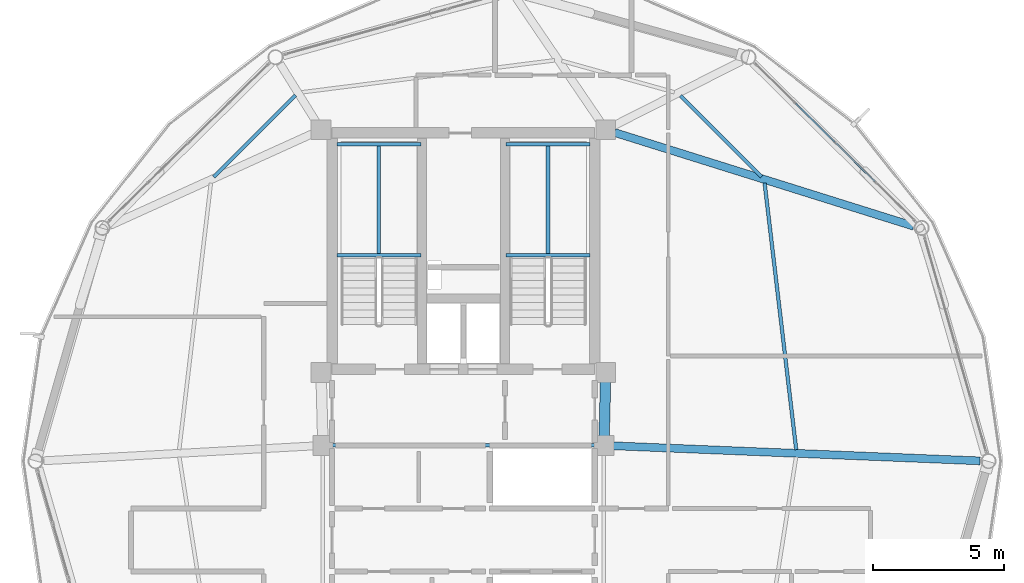
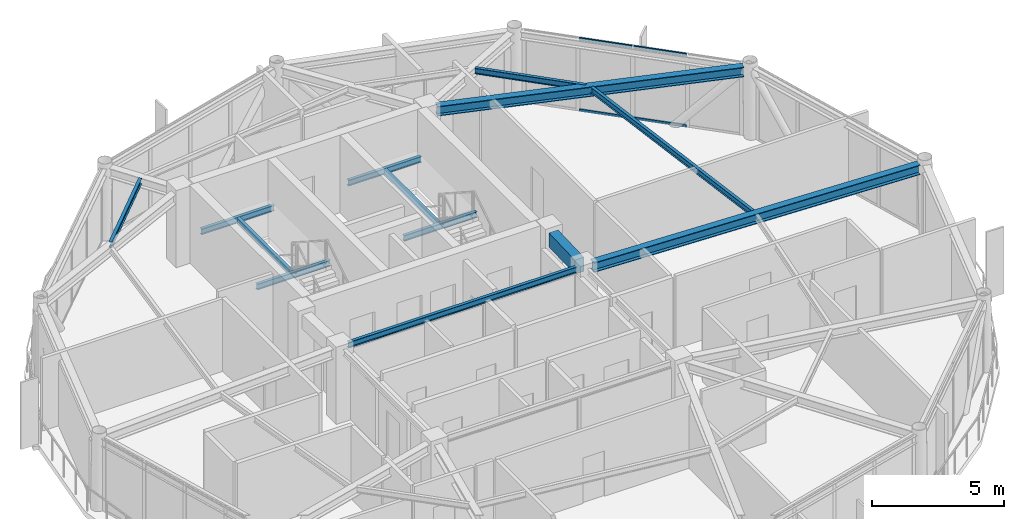
# One storey, part 14 of 26: 13 beams, 4 members, 1 element without a shape of its own.
"""IFC4 building model written with IfcOpenShell, lengths in metres."""

import ifcopenshell
import ifcopenshell.guid

model = None  # the IFC model being written
_history = None  # IfcOwnerHistory: only IFC2X3 demands one
_inside = {}  # id of a spatial element -> (the spatial element, [elements in it])
_under = {}  # id of a project, library or spatial element -> (it, [spatial elements below it])
_declared = {}  # id of a project -> (the project, [libraries it declares])
_typed = {}  # id of a type object -> (the type object, [elements of that type])
_made_of = {}  # id of a material, layer set ... -> (it, [elements and type objects made of it])


def new_model(schema):
    """Start an empty IFC model of exactly this schema.

    Asked for "IFC4X3", IfcOpenShell would pick the latest addendum, in which some entities
    have other attributes; the version numbers below select the first issue.
    IFC2X3 requires an IfcOwnerHistory on every rooted entity: one is made here for all.
    """
    global model, _history
    if schema == "IFC4X3":
        model = ifcopenshell.file(schema_version=(4, 3, 0, 0))
    else:
        model = ifcopenshell.file(schema=schema)
    _inside.clear()
    _under.clear()
    _declared.clear()
    _typed.clear()
    _made_of.clear()
    _history = None
    if model.schema == "IFC2X3":
        org = make("IfcOrganization", Name="unknown")
        user = make(
            "IfcPersonAndOrganization",
            ThePerson=make("IfcPerson", FamilyName="unknown"),
            TheOrganization=org,
        )
        app = make(
            "IfcApplication",
            ApplicationDeveloper=org,
            Version="unknown",
            ApplicationFullName="unknown",
            ApplicationIdentifier="unknown",
        )
        _history = make(
            "IfcOwnerHistory",
            OwningUser=user,
            OwningApplication=app,
            ChangeAction="ADDED",
            CreationDate=0,
        )
    return model


def make(cls, **values):
    """One entity of the class cls with the attributes given. An attribute that is None is left unset."""
    return model.create_entity(
        cls, **{name: value for name, value in values.items() if value is not None}
    )


def rooted(cls, **values):
    """An entity with a GlobalId (a new one), such as an element, a storey or a relation."""
    return make(cls, GlobalId=ifcopenshell.guid.new(), OwnerHistory=_history, **values)


def si_unit(unit_type, name, prefix=None):
    """IfcSIUnit, for example si_unit("LENGTHUNIT", "METRE", prefix="MILLI")."""
    return make("IfcSIUnit", UnitType=unit_type, Prefix=prefix, Name=name)


def assignment(units):
    """IfcUnitAssignment: the units of a project."""
    return None if units is None else make("IfcUnitAssignment", Units=units)


def point(xyz):
    """IfcCartesianPoint."""
    return None if xyz is None else make("IfcCartesianPoint", Coordinates=xyz)


def direction(xyz):
    """IfcDirection."""
    return None if xyz is None else make("IfcDirection", DirectionRatios=xyz)


def frame(location, z_axis=None, x_axis=None):
    """IfcAxis2Placement3D, a coordinate frame: its origin and axes. An axis left out is left unset."""
    return make(
        "IfcAxis2Placement3D",
        Location=point(location),
        Axis=direction(z_axis),
        RefDirection=direction(x_axis),
    )


def frame_2d(location, x_axis=None):
    """IfcAxis2Placement2D, a coordinate frame in the plane: its origin and x axis."""
    return make(
        "IfcAxis2Placement2D", Location=point(location), RefDirection=direction(x_axis)
    )


def origin():
    """The frame at (0, 0, 0) with its axes left unset."""
    return frame((0.0, 0.0, 0.0))


def origin_2d():
    """The frame at (0, 0) in the plane with its x axis left unset."""
    return frame_2d((0.0, 0.0))


def place(relative_to, where):
    """IfcLocalPlacement: puts the frame where relative to a parent placement (None: the world)."""
    return make(
        "IfcLocalPlacement", PlacementRelTo=relative_to, RelativePlacement=where
    )


def context(
    kind, dimensions, precision=None, world=None, true_north=None, identifier=None
):
    """IfcGeometricRepresentationContext, for example the 3D "Model" context."""
    return make(
        "IfcGeometricRepresentationContext",
        ContextIdentifier=identifier,
        ContextType=kind,
        CoordinateSpaceDimension=dimensions,
        Precision=precision,
        WorldCoordinateSystem=world,
        TrueNorth=true_north,
    )


def subcontext(parent, identifier, kind, view, scale=None):
    """IfcGeometricRepresentationSubContext, for example "Body" below "Model"."""
    return make(
        "IfcGeometricRepresentationSubContext",
        ContextIdentifier=identifier,
        ContextType=kind,
        ParentContext=parent,
        TargetScale=scale,
        TargetView=view,
    )


def project(units=None, contexts=None):
    """IfcProject with its units and contexts."""
    return rooted(
        "IfcProject",
        Name="project",
        RepresentationContexts=contexts,
        UnitsInContext=assignment(units),
    )


def spatial(cls, under=None, at=None, **own):
    """A site, building, storey or space (cls), placed at a placement, below another one or the project."""
    s = rooted(cls, ObjectPlacement=at, **own)
    if under is not None:
        _under.setdefault(under.id(), (under, []))[1].append(s)
    return s


def profile(cls, at=None, kind="AREA", **sizes):
    """A parametric profile (cls). Its sizes go by their IFC names, for example OverallWidth=200.0."""
    return make(cls, ProfileType=kind, Position=at, **sizes)


def rectangle(**sizes):
    """IfcRectangleProfileDef."""
    return profile("IfcRectangleProfileDef", **sizes)


def hollow_rectangle(**sizes):
    """IfcRectangleHollowProfileDef."""
    return profile("IfcRectangleHollowProfileDef", **sizes)


def i_section(**sizes):
    """IfcIShapeProfileDef."""
    return profile("IfcIShapeProfileDef", **sizes)


def extrude(swept, where, along, depth):
    """IfcExtrudedAreaSolid: the profile swept, set in the frame where, extruded along a direction by depth."""
    return make(
        "IfcExtrudedAreaSolid",
        SweptArea=swept,
        Position=where,
        ExtrudedDirection=direction(along),
        Depth=depth,
    )


def shape(context_of_items, identifier, shape_type, items):
    """IfcShapeRepresentation: the items that make up one representation, for example the "Body"."""
    return make(
        "IfcShapeRepresentation",
        ContextOfItems=context_of_items,
        RepresentationIdentifier=identifier,
        RepresentationType=shape_type,
        Items=items,
    )


def material(Name=None, Category=None):
    """IfcMaterial."""
    return make("IfcMaterial", Name=Name, Category=Category)


def layer(
    of_material, thickness, ventilated=None, Name=None, Category=None, Priority=None
):
    """IfcMaterialLayer: one layer of a wall or slab, of a material (None: an air gap)."""
    return make(
        "IfcMaterialLayer",
        Material=of_material,
        LayerThickness=thickness,
        IsVentilated=ventilated,
        Name=Name,
        Category=Category,
        Priority=Priority,
    )


def layer_set(layers, Name=None):
    """IfcMaterialLayerSet."""
    return make("IfcMaterialLayerSet", MaterialLayers=layers, LayerSetName=Name)


def material_profile(
    of_material, cross_section, Name=None, Category=None, Priority=None
):
    """IfcMaterialProfile: a cross section and its material."""
    return make(
        "IfcMaterialProfile",
        Name=Name,
        Material=of_material,
        Profile=cross_section,
        Priority=Priority,
        Category=Category,
    )


def profile_set(profiles, Name=None, composite=None):
    """IfcMaterialProfileSet."""
    return make(
        "IfcMaterialProfileSet",
        Name=Name,
        MaterialProfiles=profiles,
        CompositeProfile=composite,
    )


def made_of(thing, what):
    """Note that an element or type object is made of a material, layer set ...; save() writes the relation."""
    if what is not None:
        _made_of.setdefault(what.id(), (what, []))[1].append(thing)
    return thing


def type_object(cls, material=None, **own):
    """A type object (cls), such as IfcWallType, which elements share."""
    return made_of(rooted(cls, **own), material)


def element(
    cls,
    number,
    at=None,
    inside=None,
    cuts=None,
    type_object=None,
    material=None,
    context=None,
    identifier="Body",
    shape_type=None,
    held_by="IfcProductDefinitionShape",
    body=None,
    shapes=None,
    **own,
):
    """One element of the class cls, such as IfcWall. Its Tag is "e" and its number.

    at: its placement. inside: the storey or other place that contains it. cuts: it is an
    opening in that element (IfcRelVoidsElement). A single representation is given by context,
    identifier, shape_type and body (its items); several are given by shapes. held_by: the class
    of the entity that holds the representations. save() writes the other relations.
    """
    e = rooted(cls, Tag="e%d" % number, ObjectPlacement=at, **own)
    if body is not None:
        shapes = [shape(context, identifier, shape_type, body)]
    if shapes is not None:
        e.Representation = make(held_by, Representations=shapes)
    if inside is not None:
        _inside.setdefault(inside.id(), (inside, []))[1].append(e)
    if cuts is not None:
        rooted(
            "IfcRelVoidsElement", RelatingBuildingElement=cuts, RelatedOpeningElement=e
        )
    if type_object is not None:
        _typed.setdefault(type_object.id(), (type_object, []))[1].append(e)
    return made_of(e, material)


def aggregate(whole, parts):
    """IfcRelAggregates: a whole, such as a stair, and the parts it consists of."""
    return rooted("IfcRelAggregates", RelatingObject=whole, RelatedObjects=parts)


def save(model, path):
    """Write the relations noted so far, then the file.

    IfcRelAggregates (storeys below a building ...), IfcRelContainedInSpatialStructure (elements
    in a storey), IfcRelDefinesByType, IfcRelAssociatesMaterial and IfcRelDeclares: one each for
    every whole, place, type object, material and project.
    """
    for whole, parts in _under.values():
        aggregate(whole, parts)
    for where, things in _inside.values():
        rooted(
            "IfcRelContainedInSpatialStructure",
            RelatedElements=things,
            RelatingStructure=where,
        )
    for kind, things in _typed.values():
        rooted("IfcRelDefinesByType", RelatedObjects=things, RelatingType=kind)
    for what, things in _made_of.values():
        rooted("IfcRelAssociatesMaterial", RelatedObjects=things, RelatingMaterial=what)
    for by, libraries in _declared.values():
        rooted("IfcRelDeclares", RelatingContext=by, RelatedDefinitions=libraries)
    model.write(path)


model = new_model("IFC4")

# Units and contexts
model_context = context("Model", 3, precision=1e-05, world=origin(), true_north=direction((0.0, 1.0)))
body_context = subcontext(model_context, "Body", "Model", "MODEL_VIEW")
ifc_project = project(units=[si_unit("LENGTHUNIT", "METRE"), si_unit("AREAUNIT", "SQUARE_METRE"), si_unit("VOLUMEUNIT", "CUBIC_METRE"), si_unit("PLANEANGLEUNIT", "RADIAN"), si_unit("MASSUNIT", "GRAM", prefix="KILO")], contexts=[model_context])

# Site, building, storey
site_placement = place(None, origin())
site = spatial("IfcSite", under=ifc_project, at=site_placement, CompositionType="ELEMENT")
building_placement = place(site_placement, origin())
building = spatial("IfcBuilding", under=site, at=building_placement, Name="Varnakorn Sky Granary", CompositionType="ELEMENT")
storey_placement = place(building_placement, frame((0.0, 0.0, 267.0)))
storey = spatial("IfcBuildingStorey", under=building, at=storey_placement, Name="L68", CompositionType="ELEMENT", Elevation=267.0)

# Beams
ifc_material_1 = material(Name="Concrete C50/60", Category="concrete")
ifc_material_profile_1 = material_profile(ifc_material_1, rectangle(XDim=0.39990234375, YDim=0.64990234375, at=origin_2d()), Name="RC 400x650")
ifc_profile_set_1 = profile_set([ifc_material_profile_1], Name="Concrete C50/60")
beam_type_1 = type_object("IfcBeamType", Name="BM-LIN-650", PredefinedType="LINTEL", material=ifc_profile_set_1)
beam_1_placement = place(storey_placement, frame((8.4111328125, 3.025146484375, 3.034912109375), z_axis=(-0.025227817192, -0.999681727971, 0.0), x_axis=(0.999681727971, -0.025227817192, 0.0)))
element("IfcBeam", 1, at=beam_1_placement, inside=storey, type_object=beam_type_1, Name="Core Spine Framing Beam 2 L68", PredefinedType="LINTEL", context=body_context, shape_type="SweptSolid", body=[
    extrude(rectangle(XDim=0.39990234375, YDim=0.64990234375, at=origin_2d()), origin(), (0.0, 0.0, 1.0), 2.071044921875),
])
ifc_material_2 = material(Name="Steel S355JR", Category="steel")
ifc_material_profile_2 = material_profile(ifc_material_2, i_section(OverallWidth=0.135009765625, OverallDepth=0.27001953125, WebThickness=0.006591796875, FlangeThickness=0.01025390625, at=origin_2d()), Name="IPE 270")
ifc_profile_set_2 = profile_set([ifc_material_profile_2], Name="Steel S355JR")
beam_type_2 = type_object("IfcBeamType", Name="BM-LND-270", PredefinedType="BEAM", material=ifc_profile_set_2)
for number, where, z_axis, x_axis, name in (
    (2, (-1.820068359375, 7.840087890625, 1.465087890625), (1.0, 0.0, 0.0), (0.0, 1.0, 0.0), "Stair ST-1 Landing Trimmer Beam A L68-1"),
    (3, (-1.820068359375, 12.06005859375, 1.465087890625), (1.0, 0.0, 0.0), (0.0, 1.0, 0.0), "Stair ST-1 Landing Trimmer Beam B L68-1"),
):
    element("IfcBeam", number, at=place(storey_placement, frame(where, z_axis=z_axis, x_axis=x_axis)), inside=storey, type_object=beam_type_2, Name=name, PredefinedType="BEAM", context=body_context, shape_type="SweptSolid", body=[
        extrude(i_section(OverallWidth=0.135009765625, OverallDepth=0.27001953125, WebThickness=0.006591796875, FlangeThickness=0.01025390625, at=origin_2d()), origin(), (0.0, 0.0, 1.0), 3.199951171875),
    ])
beam_2_placement = place(storey_placement, frame((-0.219970703125, 7.840087890625, 1.465087890625), z_axis=(0.0, 1.0, 0.0), x_axis=(-1.0, 0.0, 0.0)))
element("IfcBeam", 4, at=beam_2_placement, inside=storey, type_object=beam_type_2, Name="Stair ST-1 Landing Cross Beam C L68-1", PredefinedType="BEAM", context=body_context, shape_type="SweptSolid", body=[
    extrude(i_section(OverallWidth=0.135009765625, OverallDepth=0.27001953125, WebThickness=0.006591796875, FlangeThickness=0.01025390625, at=origin_2d()), origin(), (0.0, 0.0, 1.0), 4.219970703125),
])
for number, where, z_axis, x_axis, name in (
    (5, (4.6201171875, 7.840087890625, 1.465087890625), (1.0, 0.0, 0.0), (0.0, 1.0, 0.0), "Stair ST-2 Landing Trimmer Beam A L68-1"),
    (6, (4.6201171875, 12.06005859375, 1.465087890625), (1.0, 0.0, 0.0), (0.0, 1.0, 0.0), "Stair ST-2 Landing Trimmer Beam B L68-1"),
):
    element("IfcBeam", number, at=place(storey_placement, frame(where, z_axis=z_axis, x_axis=x_axis)), inside=storey, type_object=beam_type_2, Name=name, PredefinedType="BEAM", context=body_context, shape_type="SweptSolid", body=[
        extrude(i_section(OverallWidth=0.135009765625, OverallDepth=0.27001953125, WebThickness=0.006591796875, FlangeThickness=0.01025390625, at=origin_2d()), origin(), (0.0, 0.0, 1.0), 3.199951171875),
    ])
beam_3_placement = place(storey_placement, frame((6.219970703125, 7.840087890625, 1.465087890625), z_axis=(0.0, 1.0, 0.0), x_axis=(-1.0, 0.0, 0.0)))
element("IfcBeam", 7, at=beam_3_placement, inside=storey, type_object=beam_type_2, Name="Stair ST-2 Landing Cross Beam C L68-1", PredefinedType="BEAM", context=body_context, shape_type="SweptSolid", body=[
    extrude(i_section(OverallWidth=0.135009765625, OverallDepth=0.27001953125, WebThickness=0.006591796875, FlangeThickness=0.01025390625, at=origin_2d()), origin(), (0.0, 0.0, 1.0), 4.219970703125),
])
ifc_material_profile_3 = material_profile(ifc_material_2, i_section(OverallWidth=0.300048828125, OverallDepth=0.449951171875, WebThickness=0.013916015625, FlangeThickness=0.02587890625, at=origin_2d()), Name="HE 450 B")
ifc_profile_set_3 = profile_set([ifc_material_profile_3], Name="Steel S355JR")
beam_type_3 = type_object("IfcBeamType", Name="BM-RAD-Z5", PredefinedType="BEAM", material=ifc_profile_set_3)
beam_4_placement = place(storey_placement, frame((8.70458984375, 0.58544921875, 3.135009765625), z_axis=(0.999155620934, -0.041085826711, 0.0), x_axis=(0.041085826711, 0.999155620934, 0.0)))
element("IfcBeam", 8, at=beam_4_placement, inside=storey, type_object=beam_type_3, Name="Radial Floor Girder RG01 L68", PredefinedType="BEAM", context=body_context, shape_type="SweptSolid", body=[
    extrude(i_section(OverallWidth=0.300048828125, OverallDepth=0.449951171875, WebThickness=0.013916015625, FlangeThickness=0.02587890625, at=origin_2d()), origin(), (0.0, 0.0, 1.0), 13.98193359375),
])
beam_5_placement = place(storey_placement, frame((8.7587890625, 12.513916015625, 3.135009765625), z_axis=(0.954258017131, -0.298984341967, 0.0), x_axis=(0.298984341967, 0.954258017131, 0.0)))
element("IfcBeam", 9, at=beam_5_placement, inside=storey, type_object=beam_type_3, Name="Radial Floor Girder RG02 L68", PredefinedType="BEAM", context=body_context, shape_type="SweptSolid", body=[
    extrude(i_section(OverallWidth=0.300048828125, OverallDepth=0.449951171875, WebThickness=0.013916015625, FlangeThickness=0.02587890625, at=origin_2d()), origin(), (0.0, 0.0, 1.0), 11.933349609375),
])
ifc_material_profile_4 = material_profile(ifc_material_2, i_section(OverallWidth=0.135009765625, OverallDepth=0.27001953125, WebThickness=0.006591796875, FlangeThickness=0.01025390625, at=origin_2d()), Name="IPE 270")
ifc_profile_set_4 = profile_set([ifc_material_profile_4], Name="Steel S355JR")
beam_type_4 = type_object("IfcBeamType", Name="BM-SEC-Z5", PredefinedType="BEAM", material=ifc_profile_set_4)
beam_6_placement = place(storey_placement, frame((15.673095703125, 0.437255859375, 3.22509765625), z_axis=(-0.117761070846, 0.993041957922, 0.0), x_axis=(-0.993041957922, -0.117761070846, 0.0)))
element("IfcBeam", 10, at=beam_6_placement, inside=storey, type_object=beam_type_4, Name="Secondary Floor Chord Beam MSB01 L68", PredefinedType="BEAM", context=body_context, shape_type="SweptSolid", body=[
    extrude(i_section(OverallWidth=0.135009765625, OverallDepth=0.27001953125, WebThickness=0.006591796875, FlangeThickness=0.01025390625, at=origin_2d()), origin(), (0.0, 0.0, 1.0), 10.224853515625),
])
beam_7_placement = place(storey_placement, frame((14.353515625, 10.828857421875, 3.22509765625), z_axis=(-0.708112939504, 0.706099189142, 0.0), x_axis=(-0.706099189142, -0.708112939504, 0.0)))
element("IfcBeam", 11, at=beam_7_placement, inside=storey, type_object=beam_type_4, Name="Secondary Floor Chord Beam MSB02 L68", PredefinedType="BEAM", context=body_context, shape_type="SweptSolid", body=[
    extrude(i_section(OverallWidth=0.135009765625, OverallDepth=0.27001953125, WebThickness=0.006591796875, FlangeThickness=0.01025390625, at=origin_2d()), origin(), (0.0, 0.0, 1.0), 4.364501953125),
])
beam_8_placement = place(storey_placement, frame((-3.396484375, 13.928466796875, 3.22509765625), z_axis=(-0.707134581182, -0.707078980098, 0.0), x_axis=(0.707078980098, -0.707134581182, 0.0)))
element("IfcBeam", 12, at=beam_8_placement, inside=storey, type_object=beam_type_4, Name="Secondary Floor Chord Beam MSB05 L68", PredefinedType="BEAM", context=body_context, shape_type="SweptSolid", body=[
    extrude(i_section(OverallWidth=0.135009765625, OverallDepth=0.27001953125, WebThickness=0.006591796875, FlangeThickness=0.01025390625, at=origin_2d()), origin(), (0.0, 0.0, 1.0), 4.390869140625),
])
beam_9_placement = place(storey_placement, frame((-1.9951171875, 0.60009765625, 3.22509765625), z_axis=(1.0, 0.0, 0.0), x_axis=(0.0, 1.0, 0.0)))
element("IfcBeam", 13, at=beam_9_placement, inside=storey, type_object=beam_type_4, Name="Core Spine Framing Beam 5 L68", PredefinedType="BEAM", context=body_context, shape_type="SweptSolid", body=[
    extrude(i_section(OverallWidth=0.135009765625, OverallDepth=0.27001953125, WebThickness=0.006591796875, FlangeThickness=0.01025390625, at=origin_2d()), origin(), (0.0, 0.0, 1.0), 9.990234375),
])

# Curtain wall, members
ifc_material_3 = material(Name="Anodised Bronze Aluminium Alloy 6063-T6", Category="aluminium")
ifc_layer = layer(ifc_material_3, 0.159912109375, Name="Anodised Bronze Aluminium Alloy 6063-T6")
ifc_layer_set = layer_set([ifc_layer], Name="Anodised Bronze Aluminium Alloy 6063-T6")
curtain_wall_type = type_object("IfcCurtainWallType", Name="CW-OFF-1", PredefinedType="USERDEFINED", material=ifc_layer_set)
curtain_wall_placement = place(storey_placement, origin())
curtain_wall = element("IfcCurtainWall", 14, at=curtain_wall_placement, inside=storey, type_object=curtain_wall_type, Name="Unitised Curtain Wall CW6 CW-L68-B02", ObjectType="CURTAIN WALL", PredefinedType="USERDEFINED")
ifc_material_profile_5 = material_profile(ifc_material_3, hollow_rectangle(XDim=0.06494140625, YDim=0.1201171875, WallThickness=0.00341796875, at=origin_2d()), Name="ALU TRAN 65x120")
ifc_profile_set_5 = profile_set([ifc_material_profile_5], Name="Anodised Bronze Aluminium Alloy 6063-T6")
member_type = type_object("IfcMemberType", Name="CW-OFF-1-TRAN", PredefinedType="USERDEFINED", material=ifc_profile_set_5)
member_1_placement = place(storey_placement, frame((15.653564453125, 13.61962890625, 0.032470703125), z_axis=(0.712074901706, -0.702103506871, 0.0), x_axis=(0.702103506871, 0.712074901706, 0.0)))
member_1 = element("IfcMember", 15, at=member_1_placement, type_object=member_type, Name="CW6 transom 2.1", ObjectType="TRANSOM", PredefinedType="USERDEFINED", context=body_context, shape_type="SweptSolid", body=[
    extrude(hollow_rectangle(XDim=0.06494140625, YDim=0.1201171875, WallThickness=0.00341796875, at=origin_2d()), origin(), (0.0, 0.0, 1.0), 2.0810546875),
])
member_2_placement = place(storey_placement, frame((15.653564453125, 13.61962890625, 3.327392578125), z_axis=(0.712074901706, -0.702103506871, 0.0), x_axis=(0.702103506871, 0.712074901706, 0.0)))
member_2 = element("IfcMember", 16, at=member_2_placement, type_object=member_type, Name="CW6 transom 2.2", ObjectType="TRANSOM", PredefinedType="USERDEFINED", context=body_context, shape_type="SweptSolid", body=[
    extrude(hollow_rectangle(XDim=0.06494140625, YDim=0.1201171875, WallThickness=0.00341796875, at=origin_2d()), origin(), (0.0, 0.0, 1.0), 2.0810546875),
])
member_3_placement = place(storey_placement, frame((17.181640625, 12.113037109375, 0.032470703125), z_axis=(0.712074901706, -0.702103506871, 0.0), x_axis=(0.702103506871, 0.712074901706, 0.0)))
member_3 = element("IfcMember", 17, at=member_3_placement, type_object=member_type, Name="CW6 transom 3.1", ObjectType="TRANSOM", PredefinedType="USERDEFINED", context=body_context, shape_type="SweptSolid", body=[
    extrude(hollow_rectangle(XDim=0.06494140625, YDim=0.1201171875, WallThickness=0.00341796875, at=origin_2d()), origin(), (0.0, 0.0, 1.0), 2.0810546875),
])
member_4_placement = place(storey_placement, frame((17.181640625, 12.113037109375, 3.327392578125), z_axis=(0.712074901706, -0.702103506871, 0.0), x_axis=(0.702103506871, 0.712074901706, 0.0)))
member_4 = element("IfcMember", 18, at=member_4_placement, type_object=member_type, Name="CW6 transom 3.2", ObjectType="TRANSOM", PredefinedType="USERDEFINED", context=body_context, shape_type="SweptSolid", body=[
    extrude(hollow_rectangle(XDim=0.06494140625, YDim=0.1201171875, WallThickness=0.00341796875, at=origin_2d()), origin(), (0.0, 0.0, 1.0), 2.0810546875),
])
aggregate(curtain_wall, [member_1, member_2, member_3, member_4])

save(model, "model.ifc")
